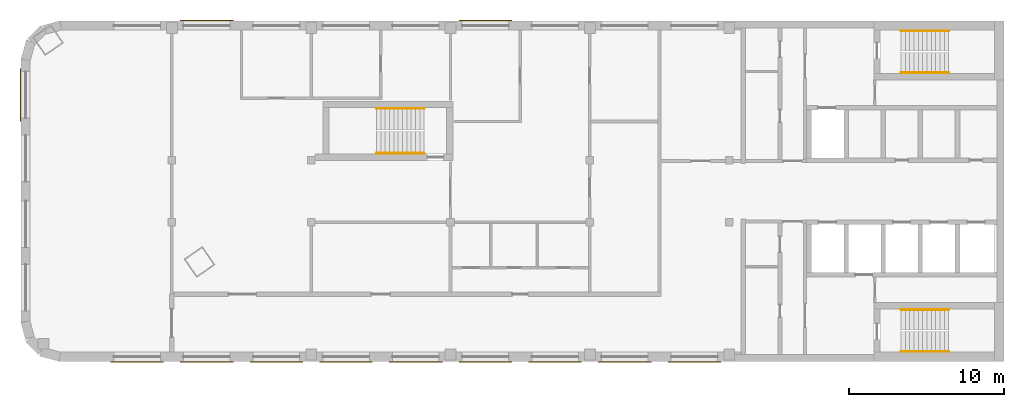
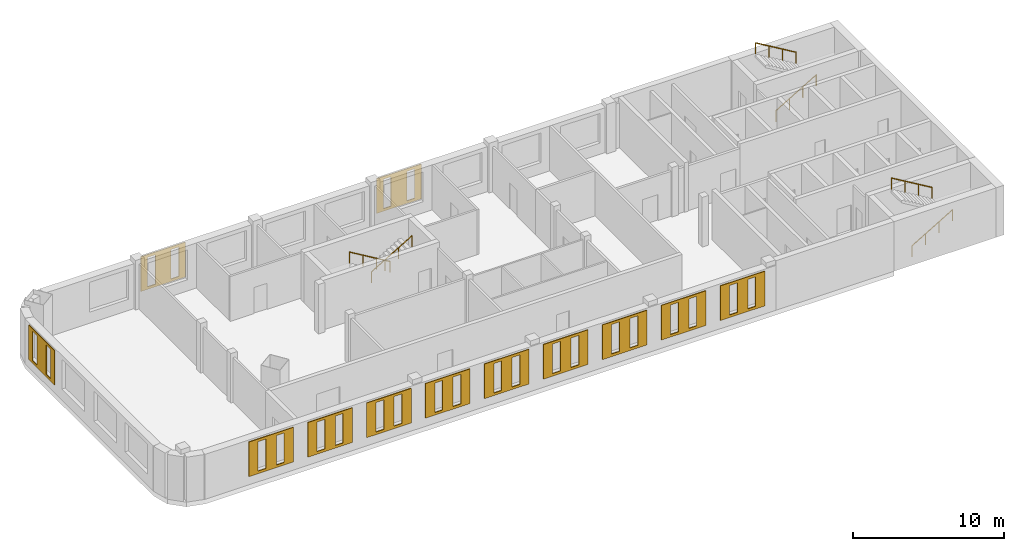
# One storey, part 5 of 5: 12 coverings, 6 railings.
"""IFC4 building model written with IfcOpenShell, lengths in metres."""

import ifcopenshell
import ifcopenshell.guid

model = None  # the IFC model being written
_history = None  # IfcOwnerHistory: only IFC2X3 demands one
_inside = {}  # id of a spatial element -> (the spatial element, [elements in it])
_under = {}  # id of a project, library or spatial element -> (it, [spatial elements below it])
_declared = {}  # id of a project -> (the project, [libraries it declares])
_typed = {}  # id of a type object -> (the type object, [elements of that type])
_made_of = {}  # id of a material, layer set ... -> (it, [elements and type objects made of it])


def new_model(schema):
    """Start an empty IFC model of exactly this schema.

    Asked for "IFC4X3", IfcOpenShell would pick the latest addendum, in which some entities
    have other attributes; the version numbers below select the first issue.
    IFC2X3 requires an IfcOwnerHistory on every rooted entity: one is made here for all.
    """
    global model, _history
    if schema == "IFC4X3":
        model = ifcopenshell.file(schema_version=(4, 3, 0, 0))
    else:
        model = ifcopenshell.file(schema=schema)
    _inside.clear()
    _under.clear()
    _declared.clear()
    _typed.clear()
    _made_of.clear()
    _history = None
    if model.schema == "IFC2X3":
        org = make("IfcOrganization", Name="unknown")
        user = make(
            "IfcPersonAndOrganization",
            ThePerson=make("IfcPerson", FamilyName="unknown"),
            TheOrganization=org,
        )
        app = make(
            "IfcApplication",
            ApplicationDeveloper=org,
            Version="unknown",
            ApplicationFullName="unknown",
            ApplicationIdentifier="unknown",
        )
        _history = make(
            "IfcOwnerHistory",
            OwningUser=user,
            OwningApplication=app,
            ChangeAction="ADDED",
            CreationDate=0,
        )
    return model


def make(cls, **values):
    """One entity of the class cls with the attributes given. An attribute that is None is left unset."""
    return model.create_entity(
        cls, **{name: value for name, value in values.items() if value is not None}
    )


def rooted(cls, **values):
    """An entity with a GlobalId (a new one), such as an element, a storey or a relation."""
    return make(cls, GlobalId=ifcopenshell.guid.new(), OwnerHistory=_history, **values)


def si_unit(unit_type, name, prefix=None):
    """IfcSIUnit, for example si_unit("LENGTHUNIT", "METRE", prefix="MILLI")."""
    return make("IfcSIUnit", UnitType=unit_type, Prefix=prefix, Name=name)


def assignment(units):
    """IfcUnitAssignment: the units of a project."""
    return None if units is None else make("IfcUnitAssignment", Units=units)


def point(xyz):
    """IfcCartesianPoint."""
    return None if xyz is None else make("IfcCartesianPoint", Coordinates=xyz)


def direction(xyz):
    """IfcDirection."""
    return None if xyz is None else make("IfcDirection", DirectionRatios=xyz)


def frame(location, z_axis=None, x_axis=None):
    """IfcAxis2Placement3D, a coordinate frame: its origin and axes. An axis left out is left unset."""
    return make(
        "IfcAxis2Placement3D",
        Location=point(location),
        Axis=direction(z_axis),
        RefDirection=direction(x_axis),
    )


def frame_2d(location, x_axis=None):
    """IfcAxis2Placement2D, a coordinate frame in the plane: its origin and x axis."""
    return make(
        "IfcAxis2Placement2D", Location=point(location), RefDirection=direction(x_axis)
    )


def origin():
    """The frame at (0, 0, 0) with its axes left unset."""
    return frame((0.0, 0.0, 0.0))


def origin_2d():
    """The frame at (0, 0) in the plane with its x axis left unset."""
    return frame_2d((0.0, 0.0))


def place(relative_to, where):
    """IfcLocalPlacement: puts the frame where relative to a parent placement (None: the world)."""
    return make(
        "IfcLocalPlacement", PlacementRelTo=relative_to, RelativePlacement=where
    )


def context(
    kind, dimensions, precision=None, world=None, true_north=None, identifier=None
):
    """IfcGeometricRepresentationContext, for example the 3D "Model" context."""
    return make(
        "IfcGeometricRepresentationContext",
        ContextIdentifier=identifier,
        ContextType=kind,
        CoordinateSpaceDimension=dimensions,
        Precision=precision,
        WorldCoordinateSystem=world,
        TrueNorth=true_north,
    )


def subcontext(parent, identifier, kind, view, scale=None):
    """IfcGeometricRepresentationSubContext, for example "Body" below "Model"."""
    return make(
        "IfcGeometricRepresentationSubContext",
        ContextIdentifier=identifier,
        ContextType=kind,
        ParentContext=parent,
        TargetScale=scale,
        TargetView=view,
    )


def project(units=None, contexts=None):
    """IfcProject with its units and contexts."""
    return rooted(
        "IfcProject",
        Name="project",
        RepresentationContexts=contexts,
        UnitsInContext=assignment(units),
    )


def spatial(cls, under=None, at=None, **own):
    """A site, building, storey or space (cls), placed at a placement, below another one or the project."""
    s = rooted(cls, ObjectPlacement=at, **own)
    if under is not None:
        _under.setdefault(under.id(), (under, []))[1].append(s)
    return s


def polyline(points):
    """IfcPolyline through the points."""
    return make("IfcPolyline", Points=[point(p) for p in points])


def profile(cls, at=None, kind="AREA", **sizes):
    """A parametric profile (cls). Its sizes go by their IFC names, for example OverallWidth=200.0."""
    return make(cls, ProfileType=kind, Position=at, **sizes)


def circle(**sizes):
    """IfcCircleProfileDef."""
    return profile("IfcCircleProfileDef", **sizes)


def outline(outer, holes=None, kind="AREA"):
    """IfcArbitraryClosedProfileDef: a profile drawn as a closed curve; with holes, ...WithVoids."""
    if holes is None:
        return make("IfcArbitraryClosedProfileDef", ProfileType=kind, OuterCurve=outer)
    return make(
        "IfcArbitraryProfileDefWithVoids",
        ProfileType=kind,
        OuterCurve=outer,
        InnerCurves=holes,
    )


def extrude(swept, where, along, depth):
    """IfcExtrudedAreaSolid: the profile swept, set in the frame where, extruded along a direction by depth."""
    return make(
        "IfcExtrudedAreaSolid",
        SweptArea=swept,
        Position=where,
        ExtrudedDirection=direction(along),
        Depth=depth,
    )


def shape(context_of_items, identifier, shape_type, items):
    """IfcShapeRepresentation: the items that make up one representation, for example the "Body"."""
    return make(
        "IfcShapeRepresentation",
        ContextOfItems=context_of_items,
        RepresentationIdentifier=identifier,
        RepresentationType=shape_type,
        Items=items,
    )


def material(Name=None, Category=None):
    """IfcMaterial."""
    return make("IfcMaterial", Name=Name, Category=Category)


def material_profile(
    of_material, cross_section, Name=None, Category=None, Priority=None
):
    """IfcMaterialProfile: a cross section and its material."""
    return make(
        "IfcMaterialProfile",
        Name=Name,
        Material=of_material,
        Profile=cross_section,
        Priority=Priority,
        Category=Category,
    )


def profile_set(profiles, Name=None, composite=None):
    """IfcMaterialProfileSet."""
    return make(
        "IfcMaterialProfileSet",
        Name=Name,
        MaterialProfiles=profiles,
        CompositeProfile=composite,
    )


def made_of(thing, what):
    """Note that an element or type object is made of a material, layer set ...; save() writes the relation."""
    if what is not None:
        _made_of.setdefault(what.id(), (what, []))[1].append(thing)
    return thing


def type_object(cls, material=None, **own):
    """A type object (cls), such as IfcWallType, which elements share."""
    return made_of(rooted(cls, **own), material)


def element(
    cls,
    number,
    at=None,
    inside=None,
    cuts=None,
    type_object=None,
    material=None,
    context=None,
    identifier="Body",
    shape_type=None,
    held_by="IfcProductDefinitionShape",
    body=None,
    shapes=None,
    **own,
):
    """One element of the class cls, such as IfcWall. Its Tag is "e" and its number.

    at: its placement. inside: the storey or other place that contains it. cuts: it is an
    opening in that element (IfcRelVoidsElement). A single representation is given by context,
    identifier, shape_type and body (its items); several are given by shapes. held_by: the class
    of the entity that holds the representations. save() writes the other relations.
    """
    e = rooted(cls, Tag="e%d" % number, ObjectPlacement=at, **own)
    if body is not None:
        shapes = [shape(context, identifier, shape_type, body)]
    if shapes is not None:
        e.Representation = make(held_by, Representations=shapes)
    if inside is not None:
        _inside.setdefault(inside.id(), (inside, []))[1].append(e)
    if cuts is not None:
        rooted(
            "IfcRelVoidsElement", RelatingBuildingElement=cuts, RelatedOpeningElement=e
        )
    if type_object is not None:
        _typed.setdefault(type_object.id(), (type_object, []))[1].append(e)
    return made_of(e, material)


def aggregate(whole, parts):
    """IfcRelAggregates: a whole, such as a stair, and the parts it consists of."""
    return rooted("IfcRelAggregates", RelatingObject=whole, RelatedObjects=parts)


def save(model, path):
    """Write the relations noted so far, then the file.

    IfcRelAggregates (storeys below a building ...), IfcRelContainedInSpatialStructure (elements
    in a storey), IfcRelDefinesByType, IfcRelAssociatesMaterial and IfcRelDeclares: one each for
    every whole, place, type object, material and project.
    """
    for whole, parts in _under.values():
        aggregate(whole, parts)
    for where, things in _inside.values():
        rooted(
            "IfcRelContainedInSpatialStructure",
            RelatedElements=things,
            RelatingStructure=where,
        )
    for kind, things in _typed.values():
        rooted("IfcRelDefinesByType", RelatedObjects=things, RelatingType=kind)
    for what, things in _made_of.values():
        rooted("IfcRelAssociatesMaterial", RelatedObjects=things, RelatingMaterial=what)
    for by, libraries in _declared.values():
        rooted("IfcRelDeclares", RelatingContext=by, RelatedDefinitions=libraries)
    model.write(path)


model = new_model("IFC4")

# Units and contexts
model_context = context("Model", 3, precision=1e-05, world=origin(), true_north=direction((0.0, 1.0)))
body_context = subcontext(model_context, "Body", "Model", "MODEL_VIEW")
ifc_project = project(units=[si_unit("LENGTHUNIT", "METRE"), si_unit("AREAUNIT", "SQUARE_METRE"), si_unit("VOLUMEUNIT", "CUBIC_METRE"), si_unit("PLANEANGLEUNIT", "RADIAN"), si_unit("MASSUNIT", "GRAM", prefix="KILO")], contexts=[model_context])

# Site, building, storey
site_placement = place(None, origin())
site = spatial("IfcSite", under=ifc_project, at=site_placement, CompositionType="ELEMENT")
building_placement = place(site_placement, origin())
building = spatial("IfcBuilding", under=site, at=building_placement, Name="Skarvind Civic Tower", CompositionType="ELEMENT")
storey_placement = place(building_placement, frame((0.0, 0.0, 261.5)))
storey = spatial("IfcBuildingStorey", under=building, at=storey_placement, Name="L62", CompositionType="ELEMENT", Elevation=261.5)

# Railings
ifc_material_1 = material(Name="Painted steel handrail", Category="steel")
railing_type = type_object("IfcRailingType", Name="Stair handrail 900", PredefinedType="HANDRAIL", material=ifc_material_1)
railing_1_placement = place(storey_placement, frame((101.35009765625, 135.64990234375, 0.166748046875)))
element("IfcRailing", 1, at=railing_1_placement, inside=storey, type_object=railing_type, Name="Stair handrail", PredefinedType="HANDRAIL", context=body_context, shape_type="SweptSolid", body=[
    extrude(circle(Radius=0.02392578125, at=origin_2d()), frame((0.0, 0.0, 0.8759765625), z_axis=(0.859290745958, 0.0, 0.51148745235), x_axis=(0.0, 1.0, 0.0)), (0.0, 0.0, 1.0), 3.584228515625),
    extrude(circle(Radius=0.02099609375, at=origin_2d()), origin(), (0.0, 0.0, 1.0), 0.851806640625),
    extrude(circle(Radius=0.02099609375, at=origin_2d()), frame((1.026611328125, 0.0, 0.611083984375)), (0.0, 0.0, 1.0), 0.851806640625),
    extrude(circle(Radius=0.02099609375, at=origin_2d()), frame((2.05322265625, 0.0, 1.22216796875)), (0.0, 0.0, 1.0), 0.851806640625),
    extrude(circle(Radius=0.02099609375, at=origin_2d()), frame((3.079833984375, 0.0, 1.833251953125)), (0.0, 0.0, 1.0), 0.851806640625),
])
railing_2_placement = place(storey_placement, frame((104.429931640625, 138.35009765625, 2.166748046875)))
element("IfcRailing", 2, at=railing_2_placement, inside=storey, type_object=railing_type, Name="Stair handrail", PredefinedType="HANDRAIL", context=body_context, shape_type="SweptSolid", body=[
    extrude(circle(Radius=0.02392578125, at=origin_2d()), frame((0.0, 0.0, 0.8759765625), z_axis=(-0.859290745958, 0.0, 0.51148745235), x_axis=(0.0, -1.0, 0.0)), (0.0, 0.0, 1.0), 3.584228515625),
    extrude(circle(Radius=0.02099609375, at=origin_2d()), origin(), (0.0, 0.0, 1.0), 0.851806640625),
    extrude(circle(Radius=0.02099609375, at=origin_2d()), frame((-1.026611328125, 0.0, 0.611083984375)), (0.0, 0.0, 1.0), 0.851806640625),
    extrude(circle(Radius=0.02099609375, at=origin_2d()), frame((-2.05322265625, 0.0, 1.22216796875)), (0.0, 0.0, 1.0), 0.851806640625),
    extrude(circle(Radius=0.02099609375, at=origin_2d()), frame((-3.079833984375, 0.0, 1.833251953125)), (0.0, 0.0, 1.0), 0.851806640625),
])
railing_3_placement = place(storey_placement, frame((101.35009765625, 117.64990234375, 0.166748046875)))
element("IfcRailing", 3, at=railing_3_placement, inside=storey, type_object=railing_type, Name="Stair handrail", PredefinedType="HANDRAIL", context=body_context, shape_type="SweptSolid", body=[
    extrude(circle(Radius=0.02392578125, at=origin_2d()), frame((0.0, 0.0, 0.8759765625), z_axis=(0.859290745958, 0.0, 0.51148745235), x_axis=(0.0, 1.0, 0.0)), (0.0, 0.0, 1.0), 3.584228515625),
    extrude(circle(Radius=0.02099609375, at=origin_2d()), origin(), (0.0, 0.0, 1.0), 0.851806640625),
    extrude(circle(Radius=0.02099609375, at=origin_2d()), frame((1.026611328125, 0.0, 0.611083984375)), (0.0, 0.0, 1.0), 0.851806640625),
    extrude(circle(Radius=0.02099609375, at=origin_2d()), frame((2.05322265625, 0.0, 1.22216796875)), (0.0, 0.0, 1.0), 0.851806640625),
    extrude(circle(Radius=0.02099609375, at=origin_2d()), frame((3.079833984375, 0.0, 1.833251953125)), (0.0, 0.0, 1.0), 0.851806640625),
])
railing_4_placement = place(storey_placement, frame((104.429931640625, 120.35009765625, 2.166748046875)))
element("IfcRailing", 4, at=railing_4_placement, inside=storey, type_object=railing_type, Name="Stair handrail", PredefinedType="HANDRAIL", context=body_context, shape_type="SweptSolid", body=[
    extrude(circle(Radius=0.02392578125, at=origin_2d()), frame((0.0, 0.0, 0.8759765625), z_axis=(-0.859290745958, 0.0, 0.51148745235), x_axis=(0.0, -1.0, 0.0)), (0.0, 0.0, 1.0), 3.584228515625),
    extrude(circle(Radius=0.02099609375, at=origin_2d()), origin(), (0.0, 0.0, 1.0), 0.851806640625),
    extrude(circle(Radius=0.02099609375, at=origin_2d()), frame((-1.026611328125, 0.0, 0.611083984375)), (0.0, 0.0, 1.0), 0.851806640625),
    extrude(circle(Radius=0.02099609375, at=origin_2d()), frame((-2.05322265625, 0.0, 1.22216796875)), (0.0, 0.0, 1.0), 0.851806640625),
    extrude(circle(Radius=0.02099609375, at=origin_2d()), frame((-3.079833984375, 0.0, 1.833251953125)), (0.0, 0.0, 1.0), 0.851806640625),
])
railing_5_placement = place(storey_placement, frame((70.550048828125, 133.35009765625, 0.166748046875)))
element("IfcRailing", 5, at=railing_5_placement, inside=storey, type_object=railing_type, Name="Stair handrail", PredefinedType="HANDRAIL", context=body_context, shape_type="SweptSolid", body=[
    extrude(circle(Radius=0.02392578125, at=origin_2d()), frame((0.0, 0.0, 0.8759765625), z_axis=(-0.859308565015, 0.0, 0.511457515432), x_axis=(0.0, -1.0, 0.0)), (0.0, 0.0, 1.0), 3.58447265625),
    extrude(circle(Radius=0.02099609375, at=origin_2d()), origin(), (0.0, 0.0, 1.0), 0.851806640625),
    extrude(circle(Radius=0.02099609375, at=origin_2d()), frame((-1.026611328125, 0.0, 0.611083984375)), (0.0, 0.0, 1.0), 0.851806640625),
    extrude(circle(Radius=0.02099609375, at=origin_2d()), frame((-2.053466796875, 0.0, 1.22216796875)), (0.0, 0.0, 1.0), 0.851806640625),
    extrude(circle(Radius=0.02099609375, at=origin_2d()), frame((-3.080078125, 0.0, 1.833251953125)), (0.0, 0.0, 1.0), 0.851806640625),
])
railing_6_placement = place(storey_placement, frame((67.469970703125, 130.449951171875, 2.166748046875)))
element("IfcRailing", 6, at=railing_6_placement, inside=storey, type_object=railing_type, Name="Stair handrail", PredefinedType="HANDRAIL", context=body_context, shape_type="SweptSolid", body=[
    extrude(circle(Radius=0.02392578125, at=origin_2d()), frame((0.0, 0.0, 0.8759765625), z_axis=(0.859308565015, 0.0, 0.511457515432), x_axis=(0.0, 1.0, 0.0)), (0.0, 0.0, 1.0), 3.58447265625),
    extrude(circle(Radius=0.02099609375, at=origin_2d()), origin(), (0.0, 0.0, 1.0), 0.851806640625),
    extrude(circle(Radius=0.02099609375, at=origin_2d()), frame((1.026611328125, 0.0, 0.611083984375)), (0.0, 0.0, 1.0), 0.851806640625),
    extrude(circle(Radius=0.02099609375, at=origin_2d()), frame((2.053466796875, 0.0, 1.22216796875)), (0.0, 0.0, 1.0), 0.851806640625),
    extrude(circle(Radius=0.02099609375, at=origin_2d()), frame((3.080078125, 0.0, 1.833251953125)), (0.0, 0.0, 1.0), 0.851806640625),
])

# Coverings
ifc_material_2 = material(Name="Terracotta", Category="masonry")
ifc_material_profile_1 = material_profile(ifc_material_2, outline(polyline([(-1.699951171875, -1.39990234375), (1.699951171875, -1.39990234375), (1.699951171875, 1.39990234375), (-1.699951171875, 1.39990234375), (-1.699951171875, -1.39990234375)]), holes=[polyline([(-1.0, -1.18994140625), (-0.39990234375, -1.18994140625), (-0.39990234375, 1.18994140625), (-1.0, 1.18994140625), (-1.0, -1.18994140625)]), polyline([(0.39990234375, -1.18994140625), (1.0, -1.18994140625), (1.0, 1.18994140625), (0.39990234375, 1.18994140625), (0.39990234375, -1.18994140625)])]), Name="TERRACOTTA SCREEN 3400 x 2800, SLIT PITCH 1400")
ifc_profile_set_1 = profile_set([ifc_material_profile_1], Name="Terracotta")
covering_type_1 = type_object("IfcCoveringType", Name="TERRACOTTA SCREEN 3400 x 2800, SLIT PITCH 1400", PredefinedType="CLADDING", material=ifc_profile_set_1)
for number, where, z_axis, x_axis, name in (
    (7, (88.0, 117.0, 2.10009765625), (0.0, -1.0, 0.0), (1.0, 0.0, 0.0), "TERRACOTTA SCREEN"),
    (8, (83.5, 117.0, 2.10009765625), (0.0, -1.0, 0.0), (1.0, 0.0, 0.0), "TERRACOTTA SCREEN"),
    (9, (79.0, 117.0, 2.10009765625), (0.0, -1.0, 0.0), (1.0, 0.0, 0.0), "TERRACOTTA SCREEN"),
    (10, (74.5, 117.0, 2.10009765625), (0.0, -1.0, 0.0), (1.0, 0.0, 0.0), "TERRACOTTA SCREEN"),
    (11, (70.0, 117.0, 2.10009765625), (0.0, -1.0, 0.0), (1.0, 0.0, 0.0), "TERRACOTTA SCREEN"),
    (12, (65.5, 117.0, 2.10009765625), (0.0, -1.0, 0.0), (1.0, 0.0, 0.0), "TERRACOTTA SCREEN"),
    (13, (61.0, 117.0, 2.10009765625), (0.0, -1.0, 0.0), (1.0, 0.0, 0.0), "TERRACOTTA SCREEN"),
    (14, (56.5, 117.0, 2.10009765625), (0.0, -1.0, 0.0), (1.0, 0.0, 0.0), "TERRACOTTA SCREEN"),
    (15, (52.0, 117.0, 2.10009765625), (0.0, -1.0, 0.0), (1.0, 0.0, 0.0), "TERRACOTTA SCREEN"),
):
    element("IfcCovering", number, at=place(storey_placement, frame(where, z_axis=z_axis, x_axis=x_axis)), inside=storey, type_object=covering_type_1, Name=name, PredefinedType="CLADDING", context=body_context, shape_type="SweptSolid", body=[
        extrude(outline(polyline([(-1.699951171875, -1.39990234375), (1.699951171875, -1.39990234375), (1.699951171875, 1.39990234375), (-1.699951171875, 1.39990234375), (-1.699951171875, -1.39990234375)]), holes=[polyline([(-1.0, -1.18994140625), (-0.39990234375, -1.18994140625), (-0.39990234375, 1.18994140625), (-1.0, 1.18994140625), (-1.0, -1.18994140625)]), polyline([(0.39990234375, -1.18994140625), (1.0, -1.18994140625), (1.0, 1.18994140625), (0.39990234375, 1.18994140625), (0.39990234375, -1.18994140625)])]), origin(), (0.0, 0.0, 1.0), 0.06005859375),
    ])
ifc_material_profile_2 = material_profile(ifc_material_2, outline(polyline([(-1.699951171875, -1.39990234375), (1.699951171875, -1.39990234375), (1.699951171875, 1.39990234375), (-1.699951171875, 1.39990234375), (-1.699951171875, -1.39990234375)]), holes=[polyline([(-1.199951171875, -1.18994140625), (-0.60009765625, -1.18994140625), (-0.60009765625, 1.18994140625), (-1.199951171875, 1.18994140625), (-1.199951171875, -1.18994140625)]), polyline([(0.60009765625, -1.18994140625), (1.199951171875, -1.18994140625), (1.199951171875, 1.18994140625), (0.60009765625, 1.18994140625), (0.60009765625, -1.18994140625)])]), Name="TERRACOTTA SCREEN 3400 x 2800, SLIT PITCH 1800")
ifc_profile_set_2 = profile_set([ifc_material_profile_2], Name="Terracotta")
covering_type_2 = type_object("IfcCoveringType", Name="TERRACOTTA SCREEN 3400 x 2800, SLIT PITCH 1800", PredefinedType="CLADDING", material=ifc_profile_set_2)
for number, where, z_axis, x_axis, name in (
    (16, (56.5, 139.0, 2.10009765625), (0.0, 1.0, 0.0), (-1.0, 0.0, 0.0), "TERRACOTTA SCREEN"),
    (17, (74.5, 139.0, 2.10009765625), (0.0, 1.0, 0.0), (-1.0, 0.0, 0.0), "TERRACOTTA SCREEN"),
    (18, (44.5, 134.22509765625, 2.10009765625), (-1.0, 0.0, 0.0), (0.0, -1.0, 0.0), "TERRACOTTA SCREEN"),
):
    element("IfcCovering", number, at=place(storey_placement, frame(where, z_axis=z_axis, x_axis=x_axis)), inside=storey, type_object=covering_type_2, Name=name, PredefinedType="CLADDING", context=body_context, shape_type="SweptSolid", body=[
        extrude(outline(polyline([(-1.699951171875, -1.39990234375), (1.699951171875, -1.39990234375), (1.699951171875, 1.39990234375), (-1.699951171875, 1.39990234375), (-1.699951171875, -1.39990234375)]), holes=[polyline([(-1.199951171875, -1.18994140625), (-0.60009765625, -1.18994140625), (-0.60009765625, 1.18994140625), (-1.199951171875, 1.18994140625), (-1.199951171875, -1.18994140625)]), polyline([(0.60009765625, -1.18994140625), (1.199951171875, -1.18994140625), (1.199951171875, 1.18994140625), (0.60009765625, 1.18994140625), (0.60009765625, -1.18994140625)])]), origin(), (0.0, 0.0, 1.0), 0.06005859375),
    ])

save(model, "model.ifc")
